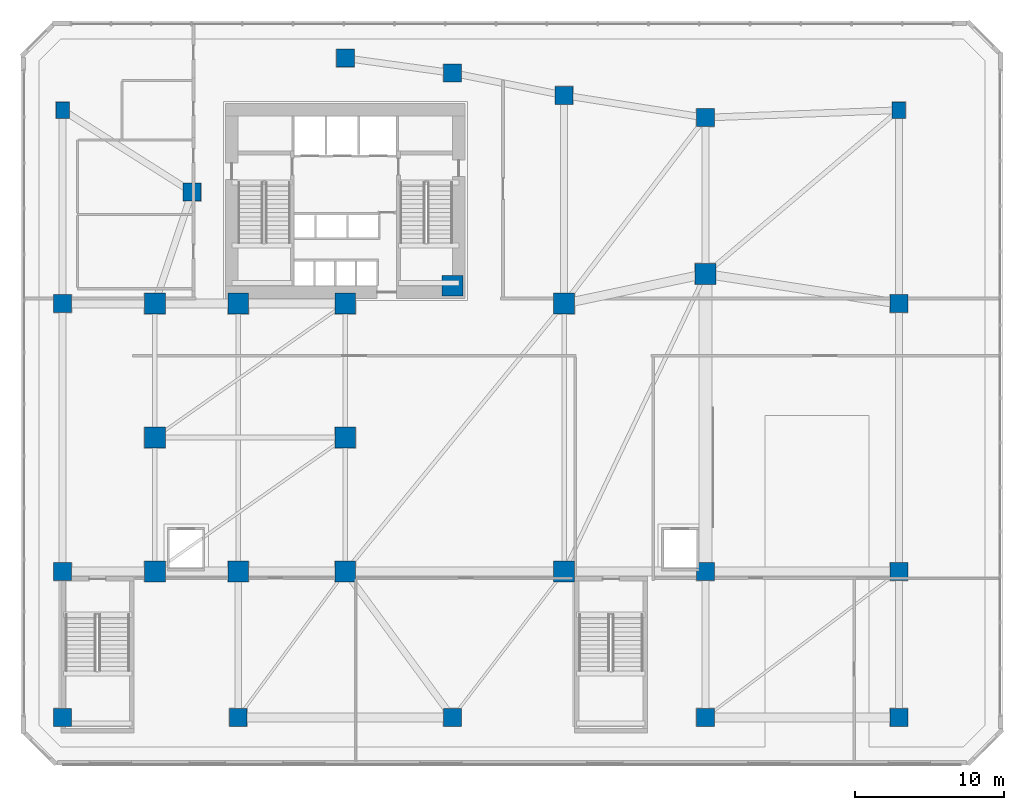
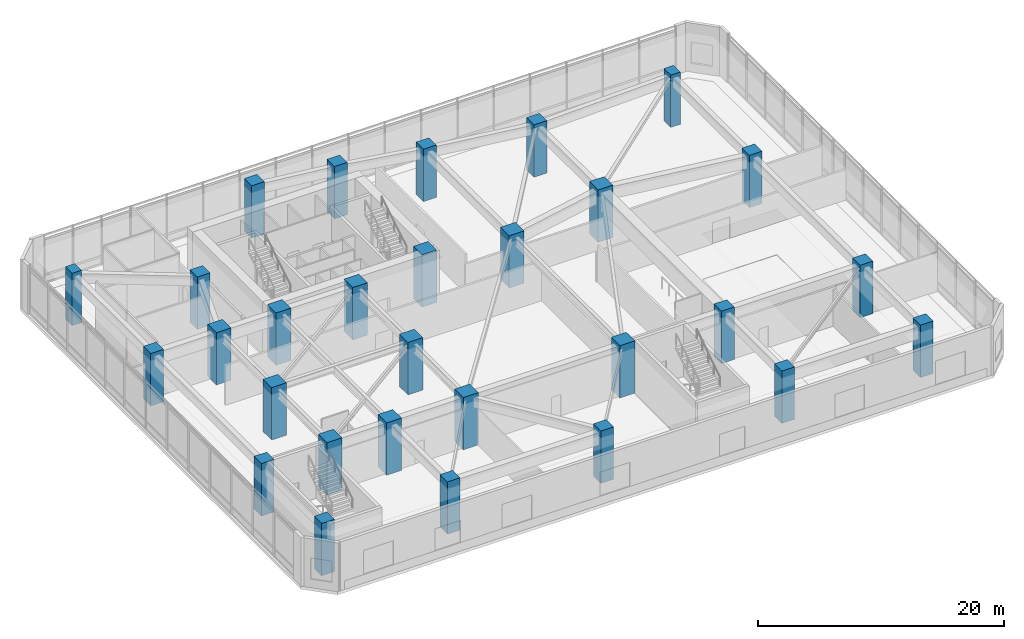
# One storey, part 1 of 15: 29 columns.
"""IFC4 building model written with IfcOpenShell, lengths in metres."""

from ifc_helpers import new_model, si_unit, direction, frame, origin, origin_2d, place, context, subcontext, project, spatial, rectangle, extrude, source, transform, mapped, material, material_profile, profile_set, type_object, element, save


model = new_model("IFC4")

# Units and contexts
model_context = context("Model", 3, precision=1e-05, world=origin(), true_north=direction((0.0, 1.0)))
body_context = subcontext(model_context, "Body", "Model", "MODEL_VIEW")
ifc_project = project(units=[si_unit("LENGTHUNIT", "METRE"), si_unit("AREAUNIT", "SQUARE_METRE"), si_unit("VOLUMEUNIT", "CUBIC_METRE"), si_unit("PLANEANGLEUNIT", "RADIAN"), si_unit("MASSUNIT", "GRAM", prefix="KILO")], contexts=[model_context])

# Site, building, storey
site_placement = place(None, origin())
site = spatial("IfcSite", under=ifc_project, at=site_placement, CompositionType="ELEMENT")
building_placement = place(site_placement, origin())
building = spatial("IfcBuilding", under=site, at=building_placement, Name="Calvemar Wedge Station Tower", CompositionType="ELEMENT")
storey_placement = place(building_placement, frame((0.0, 0.0, 16.39990234375)))
storey = spatial("IfcBuildingStorey", under=building, at=storey_placement, Name="L04", CompositionType="ELEMENT", Elevation=16.39990234375)

# Columns
ifc_material_1 = material(Name="Concrete C70", Category="concrete")
ifc_material_profile_1 = material_profile(ifc_material_1, rectangle(XDim=1.199951171875, YDim=1.199951171875, at=origin_2d()), Name="RC1200x1200")
ifc_profile_set_1 = profile_set([ifc_material_profile_1], Name="Concrete C70")
column_type_1 = type_object("IfcColumnType", Name="COL-C2-1200", PredefinedType="COLUMN", material=ifc_profile_set_1)
shared_shape_1 = source(origin(), body_context, "Body", "SweptSolid", [
    extrude(rectangle(XDim=1.199951171875, YDim=1.199951171875, at=origin_2d()), origin(), (0.0, 0.0, 1.0), 5.2001953125),
])
for number, where, z_axis, x_axis, name in (
    (1, (4.800048828125, 5.199951171875, 0.0), (0.0, 0.0, 1.0), (1.0, 0.0, 0.0), "Storey L04 Column P-S1"),
    (2, (16.60009765625, 5.199951171875, 0.0), (0.0, 0.0, 1.0), (1.0, 0.0, 0.0), "Storey L04 Column P-S2"),
    (3, (31.0, 5.199951171875, 0.0), (0.0, 0.0, 1.0), (1.0, 0.0, 0.0), "Storey L04 Column P-S3"),
    (4, (48.0, 5.199951171875, 0.0), (0.0, 0.0, 1.0), (1.0, 0.0, 0.0), "Storey L04 Column P-S4"),
    (5, (61.0, 5.199951171875, 0.0), (0.0, 0.0, 1.0), (1.0, 0.0, 0.0), "Storey L04 Column P-S5"),
    (6, (4.800048828125, 15.0, 0.0), (0.0, 0.0, 1.0), (1.0, 0.0, 0.0), "Storey L04 Column P-CS0"),
    (7, (48.0, 15.0, 0.0), (0.0, 0.0, 1.0), (1.0, 0.0, 0.0), "Storey L04 Column P-CS5"),
    (8, (61.0, 15.0, 0.0), (0.0, 0.0, 1.0), (1.0, 0.0, 0.0), "Storey L04 Column P-CS6"),
    (9, (4.800048828125, 33.0, 0.0), (0.0, 0.0, 1.0), (1.0, 0.0, 0.0), "Storey L04 Column P-CN0"),
    (10, (61.0, 33.0, 0.0), (0.0, 0.0, 1.0), (1.0, 0.0, 0.0), "Storey L04 Column P-CN7"),
    (11, (13.5, 40.5, 0.0), (0.0, 0.0, 1.0), (1.0, 0.0, 0.0), "Storey L04 Column P-N1"),
    (12, (23.800048828125, 49.5, 0.0), (0.0, 0.0, 1.0), (1.0, 0.0, 0.0), "Storey L04 Column P-N2"),
    (13, (31.0, 48.5, 0.0), (0.0, 0.0, 1.0), (1.0, 0.0, 0.0), "Storey L04 Column P-N3"),
    (14, (38.5, 47.0, 0.0), (0.0, 0.0, 1.0), (1.0, 0.0, 0.0), "Storey L04 Column P-N4"),
    (15, (48.0, 45.5, 0.0), (0.0, 0.0, 1.0), (1.0, 0.0, 0.0), "Storey L04 Column P-N5"),
):
    element("IfcColumn", number, at=place(storey_placement, frame(where, z_axis=z_axis, x_axis=x_axis)), inside=storey, type_object=column_type_1, Name=name, PredefinedType="COLUMN", context=body_context, shape_type="MappedRepresentation", body=[
        mapped(shared_shape_1, transform((0.0, 0.0, 0.0), scale=1.0)),
    ])
ifc_material_2 = material(Name="Concrete C80", Category="concrete")
ifc_material_profile_2 = material_profile(ifc_material_2, rectangle(XDim=1.39990234375, YDim=1.39990234375, at=origin_2d()), Name="RC1400x1400")
ifc_profile_set_2 = profile_set([ifc_material_profile_2], Name="Concrete C80")
column_type_2 = type_object("IfcColumnType", Name="COL-C1-1400", PredefinedType="COLUMN", material=ifc_profile_set_2)
shared_shape_2 = source(origin(), body_context, "Body", "SweptSolid", [
    extrude(rectangle(XDim=1.39990234375, YDim=1.39990234375, at=origin_2d()), origin(), (0.0, 0.0, 1.0), 5.2001953125),
])
for number, where, z_axis, x_axis, name in (
    (16, (11.0, 15.0, 0.0), (0.0, 0.0, 1.0), (1.0, 0.0, 0.0), "Storey L04 Column P-CS1"),
    (17, (16.60009765625, 15.0, 0.0), (0.0, 0.0, 1.0), (1.0, 0.0, 0.0), "Storey L04 Column P-CS2"),
    (18, (23.800048828125, 15.0, 0.0), (0.0, 0.0, 1.0), (1.0, 0.0, 0.0), "Storey L04 Column P-CS3"),
    (19, (38.5, 15.0, 0.0), (0.0, 0.0, 1.0), (1.0, 0.0, 0.0), "Storey L04 Column P-CS4"),
    (20, (11.0, 24.0, 0.0), (0.0, 0.0, 1.0), (1.0, 0.0, 0.0), "Storey L04 Column P-CM1"),
    (21, (23.800048828125, 24.0, 0.0), (0.0, 0.0, 1.0), (1.0, 0.0, 0.0), "Storey L04 Column P-CM2"),
    (22, (11.0, 33.0, 0.0), (0.0, 0.0, 1.0), (1.0, 0.0, 0.0), "Storey L04 Column P-CN1"),
    (23, (16.60009765625, 33.0, 0.0), (0.0, 0.0, 1.0), (1.0, 0.0, 0.0), "Storey L04 Column P-CN2"),
    (24, (23.800048828125, 33.0, 0.0), (0.0, 0.0, 1.0), (1.0, 0.0, 0.0), "Storey L04 Column P-CN3"),
    (25, (31.0, 34.199951171875, 0.0), (0.0, 0.0, 1.0), (1.0, 0.0, 0.0), "Storey L04 Column P-CN4"),
    (26, (38.5, 33.0, 0.0), (0.0, 0.0, 1.0), (1.0, 0.0, 0.0), "Storey L04 Column P-CN5"),
    (27, (48.0, 35.0, 0.0), (0.0, 0.0, 1.0), (1.0, 0.0, 0.0), "Storey L04 Column P-CN6"),
):
    element("IfcColumn", number, at=place(storey_placement, frame(where, z_axis=z_axis, x_axis=x_axis)), inside=storey, type_object=column_type_2, Name=name, PredefinedType="COLUMN", context=body_context, shape_type="MappedRepresentation", body=[
        mapped(shared_shape_2, transform((0.0, 0.0, 0.0), scale=1.0)),
    ])
ifc_material_profile_3 = material_profile(ifc_material_1, rectangle(XDim=0.89990234375, YDim=1.10009765625, at=origin_2d()), Name="RC1100x900")
ifc_profile_set_3 = profile_set([ifc_material_profile_3], Name="Concrete C70")
column_type_3 = type_object("IfcColumnType", Name="COL-C3-1100x900", PredefinedType="COLUMN", material=ifc_profile_set_3)
shared_shape_3 = source(origin(), body_context, "Body", "SweptSolid", [
    extrude(rectangle(XDim=0.89990234375, YDim=1.10009765625, at=origin_2d()), origin(), (0.0, 0.0, 1.0), 5.2001953125),
])
for number, where, z_axis, x_axis, name in (
    (28, (4.800048828125, 46.0, 0.0), (0.0, 0.0, 1.0), (1.0, 0.0, 0.0), "Storey L04 Column P-N0"),
    (29, (61.0, 46.0, 0.0), (0.0, 0.0, 1.0), (1.0, 0.0, 0.0), "Storey L04 Column P-N6"),
):
    element("IfcColumn", number, at=place(storey_placement, frame(where, z_axis=z_axis, x_axis=x_axis)), inside=storey, type_object=column_type_3, Name=name, PredefinedType="COLUMN", context=body_context, shape_type="MappedRepresentation", body=[
        mapped(shared_shape_3, transform((0.0, 0.0, 0.0), scale=1.0)),
    ])

save(model, "model.ifc")
